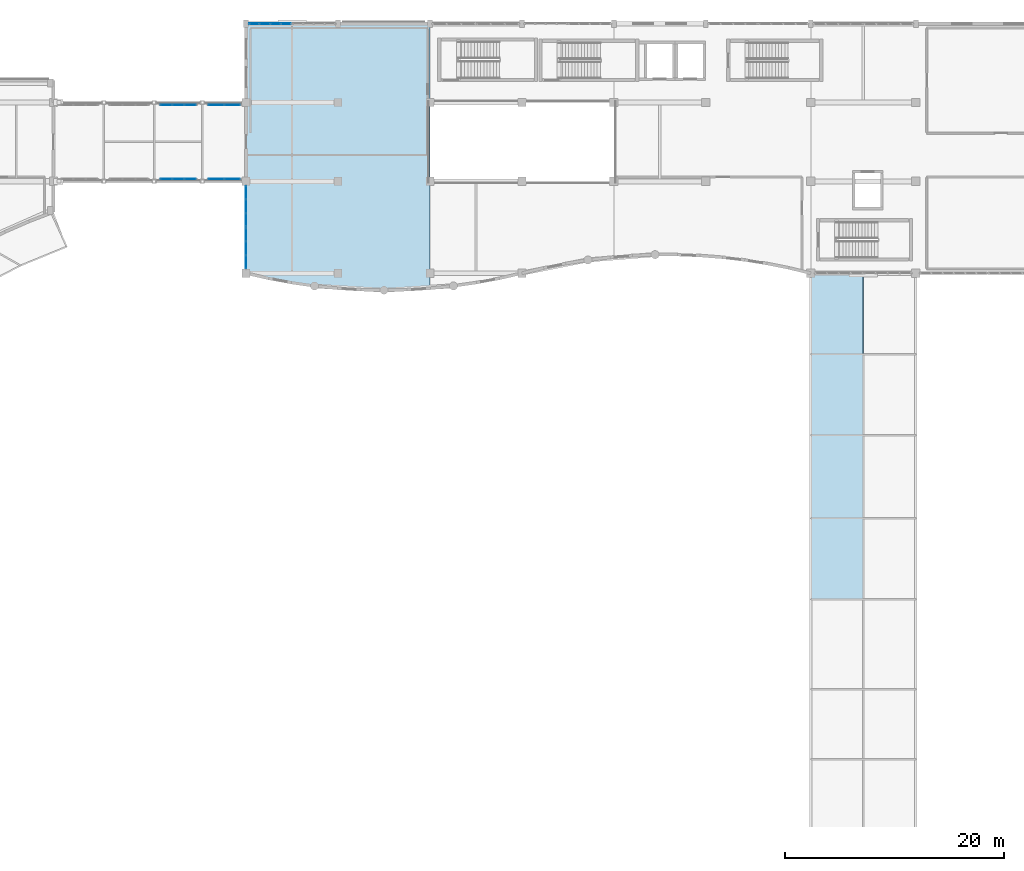
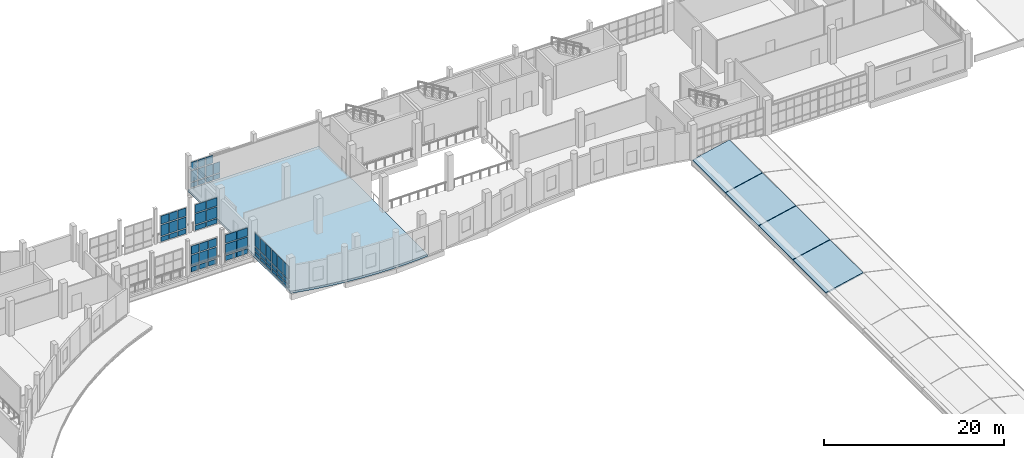
# One storey, part 71 of 106: 59 plates, 5 slabs, 7 elements without a shape of their own.
"""IFC4 building model written with IfcOpenShell, lengths in metres."""

from ifc_helpers import new_model, si_unit, direction, frame, origin, origin_2d, place, context, subcontext, project, spatial, polyline, rectangle, outline, extrude, material, layer, layer_set, type_object, element, aggregate, save


model = new_model("IFC4")

# Units and contexts
model_context = context("Model", 3, precision=1e-05, world=origin(), true_north=direction((0.0, 1.0)))
body_context = subcontext(model_context, "Body", "Model", "MODEL_VIEW")
ifc_project = project(units=[si_unit("LENGTHUNIT", "METRE"), si_unit("AREAUNIT", "SQUARE_METRE"), si_unit("VOLUMEUNIT", "CUBIC_METRE"), si_unit("PLANEANGLEUNIT", "RADIAN"), si_unit("MASSUNIT", "GRAM", prefix="KILO")], contexts=[model_context])

# Site, building, storey
site_placement = place(None, origin())
site = spatial("IfcSite", under=ifc_project, at=site_placement, CompositionType="ELEMENT")
building_placement = place(site_placement, origin())
building = spatial("IfcBuilding", under=site, at=building_placement, Name="Kisaragi Civic Commons", CompositionType="ELEMENT")
storey_placement = place(building_placement, frame((0.0, 0.0, 4.800048828125)))
storey = spatial("IfcBuildingStorey", under=building, at=storey_placement, Name="L01", CompositionType="ELEMENT", Elevation=4.800048828125)

# Curtain wall, plates
ifc_material_1 = material(Name="Thermally broken anodized aluminium and low-E double glazing", Category="aluminium")
ifc_layer_1 = layer(ifc_material_1, 0.179931640625, Name="Thermally broken anodized aluminium and low-E double glazing", Category="aluminium")
ifc_layer_set_1 = layer_set([ifc_layer_1], Name="Thermally broken anodized aluminium and low-E double glazing")
curtain_wall_type_1 = type_object("IfcCurtainWallType", Name="CW-01", PredefinedType="NOTDEFINED", material=ifc_layer_set_1)
curtain_wall_1_placement = place(storey_placement, origin())
curtain_wall_1 = element("IfcCurtainWall", 1, at=curtain_wall_1_placement, inside=storey, type_object=curtain_wall_type_1, Name="L01 curtain wall CW-01 CW-V4-L01-077", PredefinedType="NOTDEFINED")
ifc_layer_2 = layer(ifc_material_1, 0.06396484375, Name="Thermally broken anodized aluminium and low-E double glazing", Category="aluminium")
ifc_layer_set_2 = layer_set([ifc_layer_2], Name="Thermally broken anodized aluminium and low-E double glazing")
plate_type_1 = type_object("IfcPlateType", Name="CWP-04", PredefinedType="CURTAIN_PANEL", material=ifc_layer_set_2)
plate_1_placement = place(storey_placement, frame((72.0, 97.03466796875, 0.139892578125), z_axis=(0.0, 0.0, 1.0), x_axis=(0.0, 1.0, 0.0)))
plate_1 = element("IfcPlate", 2, at=plate_1_placement, type_object=plate_type_1, Name="CW-01 panel 1.1", PredefinedType="CURTAIN_PANEL", context=body_context, shape_type="SweptSolid", body=[
    extrude(rectangle(XDim=1.1591796875, YDim=0.06396484375, at=origin_2d()), origin(), (0.0, 0.0, 1.0), 0.43994140625),
])
plate_2_placement = place(storey_placement, frame((72.0, 97.03466796875, 0.7197265625), z_axis=(0.0, 0.0, 1.0), x_axis=(0.0, 1.0, 0.0)))
plate_2 = element("IfcPlate", 3, at=plate_2_placement, type_object=plate_type_1, Name="CW-01 panel 1.2", PredefinedType="CURTAIN_PANEL", context=body_context, shape_type="SweptSolid", body=[
    extrude(rectangle(XDim=1.1591796875, YDim=0.06396484375, at=origin_2d()), origin(), (0.0, 0.0, 1.0), 0.510009765625),
])
plate_3_placement = place(storey_placement, frame((72.0, 97.03466796875, 1.3701171875), z_axis=(0.0, 0.0, 1.0), x_axis=(0.0, 1.0, 0.0)))
plate_3 = element("IfcPlate", 4, at=plate_3_placement, type_object=plate_type_1, Name="CW-01 panel 1.3", PredefinedType="CURTAIN_PANEL", context=body_context, shape_type="SweptSolid", body=[
    extrude(rectangle(XDim=1.1591796875, YDim=0.06396484375, at=origin_2d()), origin(), (0.0, 0.0, 1.0), 1.77490234375),
])
plate_4_placement = place(storey_placement, frame((72.0, 98.27490234375, 0.139892578125), z_axis=(0.0, 0.0, 1.0), x_axis=(0.0, 1.0, 0.0)))
plate_4 = element("IfcPlate", 5, at=plate_4_placement, type_object=plate_type_1, Name="CW-01 panel 2.1", PredefinedType="CURTAIN_PANEL", context=body_context, shape_type="SweptSolid", body=[
    extrude(rectangle(XDim=1.191650390625, YDim=0.06396484375, at=origin_2d()), origin(), (0.0, 0.0, 1.0), 0.43994140625),
])
plate_5_placement = place(storey_placement, frame((72.0, 98.27490234375, 0.7197265625), z_axis=(0.0, 0.0, 1.0), x_axis=(0.0, 1.0, 0.0)))
plate_5 = element("IfcPlate", 6, at=plate_5_placement, type_object=plate_type_1, Name="CW-01 panel 2.2", PredefinedType="CURTAIN_PANEL", context=body_context, shape_type="SweptSolid", body=[
    extrude(rectangle(XDim=1.191650390625, YDim=0.06396484375, at=origin_2d()), origin(), (0.0, 0.0, 1.0), 0.510009765625),
])
plate_6_placement = place(storey_placement, frame((72.0, 98.27490234375, 1.3701171875), z_axis=(0.0, 0.0, 1.0), x_axis=(0.0, 1.0, 0.0)))
plate_6 = element("IfcPlate", 7, at=plate_6_placement, type_object=plate_type_1, Name="CW-01 panel 2.3", PredefinedType="CURTAIN_PANEL", context=body_context, shape_type="SweptSolid", body=[
    extrude(rectangle(XDim=1.191650390625, YDim=0.06396484375, at=origin_2d()), origin(), (0.0, 0.0, 1.0), 1.77490234375),
])
plate_7_placement = place(storey_placement, frame((72.0, 99.515380859375, 0.139892578125), z_axis=(0.0, 0.0, 1.0), x_axis=(0.0, 1.0, 0.0)))
plate_7 = element("IfcPlate", 8, at=plate_7_placement, type_object=plate_type_1, Name="CW-01 panel 3.1", PredefinedType="CURTAIN_PANEL", context=body_context, shape_type="SweptSolid", body=[
    extrude(rectangle(XDim=1.1591796875, YDim=0.06396484375, at=origin_2d()), origin(), (0.0, 0.0, 1.0), 0.43994140625),
])
plate_8_placement = place(storey_placement, frame((72.0, 99.515380859375, 0.7197265625), z_axis=(0.0, 0.0, 1.0), x_axis=(0.0, 1.0, 0.0)))
plate_8 = element("IfcPlate", 9, at=plate_8_placement, type_object=plate_type_1, Name="CW-01 panel 3.2", PredefinedType="CURTAIN_PANEL", context=body_context, shape_type="SweptSolid", body=[
    extrude(rectangle(XDim=1.1591796875, YDim=0.06396484375, at=origin_2d()), origin(), (0.0, 0.0, 1.0), 0.510009765625),
])
plate_9_placement = place(storey_placement, frame((72.0, 99.515380859375, 1.3701171875), z_axis=(0.0, 0.0, 1.0), x_axis=(0.0, 1.0, 0.0)))
plate_9 = element("IfcPlate", 10, at=plate_9_placement, type_object=plate_type_1, Name="CW-01 panel 3.3", PredefinedType="CURTAIN_PANEL", context=body_context, shape_type="SweptSolid", body=[
    extrude(rectangle(XDim=1.1591796875, YDim=0.06396484375, at=origin_2d()), origin(), (0.0, 0.0, 1.0), 1.77490234375),
])
aggregate(curtain_wall_1, [plate_1, plate_2, plate_3, plate_4, plate_5, plate_6, plate_7, plate_8, plate_9])

curtain_wall_2_placement = place(storey_placement, origin())
curtain_wall_2 = element("IfcCurtainWall", 11, at=curtain_wall_2_placement, inside=storey, type_object=curtain_wall_type_1, Name="L01 curtain wall CW-01 CW-V4-L01-078", PredefinedType="NOTDEFINED")
ifc_layer_3 = layer(ifc_material_1, 0.048095703125, Name="Thermally broken anodized aluminium and low-E double glazing", Category="aluminium")
ifc_layer_set_3 = layer_set([ifc_layer_3], Name="Thermally broken anodized aluminium and low-E double glazing")
plate_type_2 = type_object("IfcPlateType", Name="CWP-05", PredefinedType="CURTAIN_PANEL", material=ifc_layer_set_3)
plate_10_placement = place(storey_placement, frame((72.0, 100.884521484375, 0.139892578125), z_axis=(0.0, 0.0, 1.0), x_axis=(0.0, 1.0, 0.0)))
plate_10 = element("IfcPlate", 12, at=plate_10_placement, type_object=plate_type_2, Name="CW-01 panel 1.1", PredefinedType="CURTAIN_PANEL", context=body_context, shape_type="SweptSolid", body=[
    extrude(rectangle(XDim=1.1591796875, YDim=0.048095703125, at=origin_2d()), origin(), (0.0, 0.0, 1.0), 0.43994140625),
])
plate_11_placement = place(storey_placement, frame((72.0, 100.884521484375, 0.7197265625), z_axis=(0.0, 0.0, 1.0), x_axis=(0.0, 1.0, 0.0)))
plate_11 = element("IfcPlate", 13, at=plate_11_placement, type_object=plate_type_2, Name="CW-01 panel 1.2", PredefinedType="CURTAIN_PANEL", context=body_context, shape_type="SweptSolid", body=[
    extrude(rectangle(XDim=1.1591796875, YDim=0.048095703125, at=origin_2d()), origin(), (0.0, 0.0, 1.0), 0.510009765625),
])
plate_12_placement = place(storey_placement, frame((72.0, 100.884521484375, 1.3701171875), z_axis=(0.0, 0.0, 1.0), x_axis=(0.0, 1.0, 0.0)))
plate_12 = element("IfcPlate", 14, at=plate_12_placement, type_object=plate_type_2, Name="CW-01 panel 1.3", PredefinedType="CURTAIN_PANEL", context=body_context, shape_type="SweptSolid", body=[
    extrude(rectangle(XDim=1.1591796875, YDim=0.048095703125, at=origin_2d()), origin(), (0.0, 0.0, 1.0), 1.77490234375),
])
plate_13_placement = place(storey_placement, frame((72.0, 102.125, 0.139892578125), z_axis=(0.0, 0.0, 1.0), x_axis=(0.0, 1.0, 0.0)))
plate_13 = element("IfcPlate", 15, at=plate_13_placement, type_object=plate_type_2, Name="CW-01 panel 2.1", PredefinedType="CURTAIN_PANEL", context=body_context, shape_type="SweptSolid", body=[
    extrude(rectangle(XDim=1.191650390625, YDim=0.048095703125, at=origin_2d()), origin(), (0.0, 0.0, 1.0), 0.43994140625),
])
plate_14_placement = place(storey_placement, frame((72.0, 102.125, 0.7197265625), z_axis=(0.0, 0.0, 1.0), x_axis=(0.0, 1.0, 0.0)))
plate_14 = element("IfcPlate", 16, at=plate_14_placement, type_object=plate_type_2, Name="CW-01 panel 2.2", PredefinedType="CURTAIN_PANEL", context=body_context, shape_type="SweptSolid", body=[
    extrude(rectangle(XDim=1.191650390625, YDim=0.048095703125, at=origin_2d()), origin(), (0.0, 0.0, 1.0), 0.510009765625),
])
plate_15_placement = place(storey_placement, frame((72.0, 102.125, 1.3701171875), z_axis=(0.0, 0.0, 1.0), x_axis=(0.0, 1.0, 0.0)))
plate_15 = element("IfcPlate", 17, at=plate_15_placement, type_object=plate_type_2, Name="CW-01 panel 2.3", PredefinedType="CURTAIN_PANEL", context=body_context, shape_type="SweptSolid", body=[
    extrude(rectangle(XDim=1.191650390625, YDim=0.048095703125, at=origin_2d()), origin(), (0.0, 0.0, 1.0), 1.77490234375),
])
plate_16_placement = place(storey_placement, frame((72.0, 103.365478515625, 0.139892578125), z_axis=(0.0, 0.0, 1.0), x_axis=(0.0, 1.0, 0.0)))
plate_16 = element("IfcPlate", 18, at=plate_16_placement, type_object=plate_type_2, Name="CW-01 panel 3.1", PredefinedType="CURTAIN_PANEL", context=body_context, shape_type="SweptSolid", body=[
    extrude(rectangle(XDim=1.1591796875, YDim=0.048095703125, at=origin_2d()), origin(), (0.0, 0.0, 1.0), 0.43994140625),
])
plate_17_placement = place(storey_placement, frame((72.0, 103.365478515625, 0.7197265625), z_axis=(0.0, 0.0, 1.0), x_axis=(0.0, 1.0, 0.0)))
plate_17 = element("IfcPlate", 19, at=plate_17_placement, type_object=plate_type_2, Name="CW-01 panel 3.2", PredefinedType="CURTAIN_PANEL", context=body_context, shape_type="SweptSolid", body=[
    extrude(rectangle(XDim=1.1591796875, YDim=0.048095703125, at=origin_2d()), origin(), (0.0, 0.0, 1.0), 0.510009765625),
])
plate_18_placement = place(storey_placement, frame((72.0, 103.365478515625, 1.3701171875), z_axis=(0.0, 0.0, 1.0), x_axis=(0.0, 1.0, 0.0)))
plate_18 = element("IfcPlate", 20, at=plate_18_placement, type_object=plate_type_2, Name="CW-01 panel 3.3", PredefinedType="CURTAIN_PANEL", context=body_context, shape_type="SweptSolid", body=[
    extrude(rectangle(XDim=1.1591796875, YDim=0.048095703125, at=origin_2d()), origin(), (0.0, 0.0, 1.0), 1.77490234375),
])
aggregate(curtain_wall_2, [plate_10, plate_11, plate_12, plate_13, plate_14, plate_15, plate_16, plate_17, plate_18])

ifc_layer_4 = layer(ifc_material_1, 0.179931640625, Name="Thermally broken anodized aluminium and low-E double glazing", Category="aluminium")
ifc_layer_set_4 = layer_set([ifc_layer_4], Name="Thermally broken anodized aluminium and low-E double glazing")
curtain_wall_type_2 = type_object("IfcCurtainWallType", Name="CW-04", PredefinedType="NOTDEFINED", material=ifc_layer_set_4)
curtain_wall_3_placement = place(storey_placement, origin())
curtain_wall_3 = element("IfcCurtainWall", 21, at=curtain_wall_3_placement, inside=storey, type_object=curtain_wall_type_2, Name="L01 curtain wall CW-04 CW-BR-119", PredefinedType="NOTDEFINED")
ifc_layer_5 = layer(ifc_material_1, 0.068115234375, Name="Thermally broken anodized aluminium and low-E double glazing", Category="aluminium")
ifc_layer_set_5 = layer_set([ifc_layer_5], Name="Thermally broken anodized aluminium and low-E double glazing")
plate_type_3 = type_object("IfcPlateType", Name="CWP-08", PredefinedType="CURTAIN_PANEL", material=ifc_layer_set_5)
plate_19_placement = place(storey_placement, frame((64.6962890625, 104.6201171875, 0.14013671875), z_axis=(0.0, 0.0, 1.0), x_axis=(1.0, 0.0, 0.0)))
plate_19 = element("IfcPlate", 22, at=plate_19_placement, type_object=plate_type_3, Name="CW-04 panel 1.1", PredefinedType="CURTAIN_PANEL", context=body_context, shape_type="SweptSolid", body=[
    extrude(rectangle(XDim=1.0224609375, YDim=0.068115234375, at=origin_2d()), origin(), (0.0, 0.0, 1.0), 0.639892578125),
])
plate_20_placement = place(storey_placement, frame((64.6962890625, 104.6201171875, 0.919921875), z_axis=(0.0, 0.0, 1.0), x_axis=(1.0, 0.0, 0.0)))
plate_20 = element("IfcPlate", 23, at=plate_20_placement, type_object=plate_type_3, Name="CW-04 panel 1.2", PredefinedType="CURTAIN_PANEL", context=body_context, shape_type="SweptSolid", body=[
    extrude(rectangle(XDim=1.0224609375, YDim=0.068115234375, at=origin_2d()), origin(), (0.0, 0.0, 1.0), 1.4599609375),
])
plate_21_placement = place(storey_placement, frame((64.6962890625, 104.6201171875, 2.52001953125), z_axis=(0.0, 0.0, 1.0), x_axis=(1.0, 0.0, 0.0)))
plate_21 = element("IfcPlate", 24, at=plate_21_placement, type_object=plate_type_3, Name="CW-04 panel 1.3", PredefinedType="CURTAIN_PANEL", context=body_context, shape_type="SweptSolid", body=[
    extrude(rectangle(XDim=1.0224609375, YDim=0.068115234375, at=origin_2d()), origin(), (0.0, 0.0, 1.0), 1.10009765625),
])
plate_22_placement = place(storey_placement, frame((65.800048828125, 104.6201171875, 0.14013671875), z_axis=(0.0, 0.0, 1.0), x_axis=(1.0, 0.0, 0.0)))
plate_22 = element("IfcPlate", 25, at=plate_22_placement, type_object=plate_type_3, Name="CW-04 panel 2.1", PredefinedType="CURTAIN_PANEL", context=body_context, shape_type="SweptSolid", body=[
    extrude(rectangle(XDim=1.054931640625, YDim=0.068115234375, at=origin_2d()), origin(), (0.0, 0.0, 1.0), 0.639892578125),
])
plate_23_placement = place(storey_placement, frame((65.800048828125, 104.6201171875, 0.919921875), z_axis=(0.0, 0.0, 1.0), x_axis=(1.0, 0.0, 0.0)))
plate_23 = element("IfcPlate", 26, at=plate_23_placement, type_object=plate_type_3, Name="CW-04 panel 2.2", PredefinedType="CURTAIN_PANEL", context=body_context, shape_type="SweptSolid", body=[
    extrude(rectangle(XDim=1.054931640625, YDim=0.068115234375, at=origin_2d()), origin(), (0.0, 0.0, 1.0), 1.4599609375),
])
plate_24_placement = place(storey_placement, frame((65.800048828125, 104.6201171875, 2.52001953125), z_axis=(0.0, 0.0, 1.0), x_axis=(1.0, 0.0, 0.0)))
plate_24 = element("IfcPlate", 27, at=plate_24_placement, type_object=plate_type_3, Name="CW-04 panel 2.3", PredefinedType="CURTAIN_PANEL", context=body_context, shape_type="SweptSolid", body=[
    extrude(rectangle(XDim=1.054931640625, YDim=0.068115234375, at=origin_2d()), origin(), (0.0, 0.0, 1.0), 1.10009765625),
])
plate_25_placement = place(storey_placement, frame((66.90380859375, 104.6201171875, 0.14013671875), z_axis=(0.0, 0.0, 1.0), x_axis=(1.0, 0.0, 0.0)))
plate_25 = element("IfcPlate", 28, at=plate_25_placement, type_object=plate_type_3, Name="CW-04 panel 3.1", PredefinedType="CURTAIN_PANEL", context=body_context, shape_type="SweptSolid", body=[
    extrude(rectangle(XDim=1.0224609375, YDim=0.068115234375, at=origin_2d()), origin(), (0.0, 0.0, 1.0), 0.639892578125),
])
plate_26_placement = place(storey_placement, frame((66.90380859375, 104.6201171875, 0.919921875), z_axis=(0.0, 0.0, 1.0), x_axis=(1.0, 0.0, 0.0)))
plate_26 = element("IfcPlate", 29, at=plate_26_placement, type_object=plate_type_3, Name="CW-04 panel 3.2", PredefinedType="CURTAIN_PANEL", context=body_context, shape_type="SweptSolid", body=[
    extrude(rectangle(XDim=1.0224609375, YDim=0.068115234375, at=origin_2d()), origin(), (0.0, 0.0, 1.0), 1.4599609375),
])
plate_27_placement = place(storey_placement, frame((66.90380859375, 104.6201171875, 2.52001953125), z_axis=(0.0, 0.0, 1.0), x_axis=(1.0, 0.0, 0.0)))
plate_27 = element("IfcPlate", 30, at=plate_27_placement, type_object=plate_type_3, Name="CW-04 panel 3.3", PredefinedType="CURTAIN_PANEL", context=body_context, shape_type="SweptSolid", body=[
    extrude(rectangle(XDim=1.0224609375, YDim=0.068115234375, at=origin_2d()), origin(), (0.0, 0.0, 1.0), 1.10009765625),
])
aggregate(curtain_wall_3, [plate_19, plate_20, plate_21, plate_22, plate_23, plate_24, plate_25, plate_26, plate_27])

curtain_wall_4_placement = place(storey_placement, origin())
curtain_wall_4 = element("IfcCurtainWall", 31, at=curtain_wall_4_placement, inside=storey, type_object=curtain_wall_type_2, Name="L01 curtain wall CW-04 CW-BR-120", PredefinedType="NOTDEFINED")
plate_28_placement = place(storey_placement, frame((69.2763671875, 104.6201171875, 0.14013671875), z_axis=(0.0, 0.0, 1.0), x_axis=(1.0, 0.0, 0.0)))
plate_28 = element("IfcPlate", 32, at=plate_28_placement, type_object=plate_type_3, Name="CW-04 panel 1.1", PredefinedType="CURTAIN_PANEL", context=body_context, shape_type="SweptSolid", body=[
    extrude(rectangle(XDim=1.382568359375, YDim=0.068115234375, at=origin_2d()), origin(), (0.0, 0.0, 1.0), 0.639892578125),
])
plate_29_placement = place(storey_placement, frame((69.2763671875, 104.6201171875, 0.919921875), z_axis=(0.0, 0.0, 1.0), x_axis=(1.0, 0.0, 0.0)))
plate_29 = element("IfcPlate", 33, at=plate_29_placement, type_object=plate_type_3, Name="CW-04 panel 1.2", PredefinedType="CURTAIN_PANEL", context=body_context, shape_type="SweptSolid", body=[
    extrude(rectangle(XDim=1.382568359375, YDim=0.068115234375, at=origin_2d()), origin(), (0.0, 0.0, 1.0), 1.4599609375),
])
plate_30_placement = place(storey_placement, frame((69.2763671875, 104.6201171875, 2.52001953125), z_axis=(0.0, 0.0, 1.0), x_axis=(1.0, 0.0, 0.0)))
plate_30 = element("IfcPlate", 34, at=plate_30_placement, type_object=plate_type_3, Name="CW-04 panel 1.3", PredefinedType="CURTAIN_PANEL", context=body_context, shape_type="SweptSolid", body=[
    extrude(rectangle(XDim=1.382568359375, YDim=0.068115234375, at=origin_2d()), origin(), (0.0, 0.0, 1.0), 1.10009765625),
])
plate_31_placement = place(storey_placement, frame((70.7236328125, 104.6201171875, 0.14013671875), z_axis=(0.0, 0.0, 1.0), x_axis=(1.0, 0.0, 0.0)))
plate_31 = element("IfcPlate", 35, at=plate_31_placement, type_object=plate_type_3, Name="CW-04 panel 2.1", PredefinedType="CURTAIN_PANEL", context=body_context, shape_type="SweptSolid", body=[
    extrude(rectangle(XDim=1.382568359375, YDim=0.068115234375, at=origin_2d()), origin(), (0.0, 0.0, 1.0), 0.639892578125),
])
plate_32_placement = place(storey_placement, frame((70.7236328125, 104.6201171875, 0.919921875), z_axis=(0.0, 0.0, 1.0), x_axis=(1.0, 0.0, 0.0)))
plate_32 = element("IfcPlate", 36, at=plate_32_placement, type_object=plate_type_3, Name="CW-04 panel 2.2", PredefinedType="CURTAIN_PANEL", context=body_context, shape_type="SweptSolid", body=[
    extrude(rectangle(XDim=1.382568359375, YDim=0.068115234375, at=origin_2d()), origin(), (0.0, 0.0, 1.0), 1.4599609375),
])
plate_33_placement = place(storey_placement, frame((70.7236328125, 104.6201171875, 2.52001953125), z_axis=(0.0, 0.0, 1.0), x_axis=(1.0, 0.0, 0.0)))
plate_33 = element("IfcPlate", 37, at=plate_33_placement, type_object=plate_type_3, Name="CW-04 panel 2.3", PredefinedType="CURTAIN_PANEL", context=body_context, shape_type="SweptSolid", body=[
    extrude(rectangle(XDim=1.382568359375, YDim=0.068115234375, at=origin_2d()), origin(), (0.0, 0.0, 1.0), 1.10009765625),
])
aggregate(curtain_wall_4, [plate_28, plate_29, plate_30, plate_31, plate_32, plate_33])

curtain_wall_5_placement = place(storey_placement, origin())
curtain_wall_5 = element("IfcCurtainWall", 38, at=curtain_wall_5_placement, inside=storey, type_object=curtain_wall_type_2, Name="L01 curtain wall CW-04 CW-BR-123", PredefinedType="NOTDEFINED")
plate_34_placement = place(storey_placement, frame((64.6962890625, 111.3798828125, 0.14013671875), z_axis=(0.0, 0.0, 1.0), x_axis=(1.0, 0.0, 0.0)))
plate_34 = element("IfcPlate", 39, at=plate_34_placement, type_object=plate_type_3, Name="CW-04 panel 1.1", PredefinedType="CURTAIN_PANEL", context=body_context, shape_type="SweptSolid", body=[
    extrude(rectangle(XDim=1.0224609375, YDim=0.068115234375, at=origin_2d()), origin(), (0.0, 0.0, 1.0), 0.639892578125),
])
plate_35_placement = place(storey_placement, frame((64.6962890625, 111.3798828125, 0.919921875), z_axis=(0.0, 0.0, 1.0), x_axis=(1.0, 0.0, 0.0)))
plate_35 = element("IfcPlate", 40, at=plate_35_placement, type_object=plate_type_3, Name="CW-04 panel 1.2", PredefinedType="CURTAIN_PANEL", context=body_context, shape_type="SweptSolid", body=[
    extrude(rectangle(XDim=1.0224609375, YDim=0.068115234375, at=origin_2d()), origin(), (0.0, 0.0, 1.0), 1.4599609375),
])
plate_36_placement = place(storey_placement, frame((64.6962890625, 111.3798828125, 2.52001953125), z_axis=(0.0, 0.0, 1.0), x_axis=(1.0, 0.0, 0.0)))
plate_36 = element("IfcPlate", 41, at=plate_36_placement, type_object=plate_type_3, Name="CW-04 panel 1.3", PredefinedType="CURTAIN_PANEL", context=body_context, shape_type="SweptSolid", body=[
    extrude(rectangle(XDim=1.0224609375, YDim=0.068115234375, at=origin_2d()), origin(), (0.0, 0.0, 1.0), 1.10009765625),
])
plate_37_placement = place(storey_placement, frame((65.800048828125, 111.3798828125, 0.14013671875), z_axis=(0.0, 0.0, 1.0), x_axis=(1.0, 0.0, 0.0)))
plate_37 = element("IfcPlate", 42, at=plate_37_placement, type_object=plate_type_3, Name="CW-04 panel 2.1", PredefinedType="CURTAIN_PANEL", context=body_context, shape_type="SweptSolid", body=[
    extrude(rectangle(XDim=1.054931640625, YDim=0.068115234375, at=origin_2d()), origin(), (0.0, 0.0, 1.0), 0.639892578125),
])
plate_38_placement = place(storey_placement, frame((65.800048828125, 111.3798828125, 0.919921875), z_axis=(0.0, 0.0, 1.0), x_axis=(1.0, 0.0, 0.0)))
plate_38 = element("IfcPlate", 43, at=plate_38_placement, type_object=plate_type_3, Name="CW-04 panel 2.2", PredefinedType="CURTAIN_PANEL", context=body_context, shape_type="SweptSolid", body=[
    extrude(rectangle(XDim=1.054931640625, YDim=0.068115234375, at=origin_2d()), origin(), (0.0, 0.0, 1.0), 1.4599609375),
])
plate_39_placement = place(storey_placement, frame((65.800048828125, 111.3798828125, 2.52001953125), z_axis=(0.0, 0.0, 1.0), x_axis=(1.0, 0.0, 0.0)))
plate_39 = element("IfcPlate", 44, at=plate_39_placement, type_object=plate_type_3, Name="CW-04 panel 2.3", PredefinedType="CURTAIN_PANEL", context=body_context, shape_type="SweptSolid", body=[
    extrude(rectangle(XDim=1.054931640625, YDim=0.068115234375, at=origin_2d()), origin(), (0.0, 0.0, 1.0), 1.10009765625),
])
plate_40_placement = place(storey_placement, frame((66.90380859375, 111.3798828125, 0.14013671875), z_axis=(0.0, 0.0, 1.0), x_axis=(1.0, 0.0, 0.0)))
plate_40 = element("IfcPlate", 45, at=plate_40_placement, type_object=plate_type_3, Name="CW-04 panel 3.1", PredefinedType="CURTAIN_PANEL", context=body_context, shape_type="SweptSolid", body=[
    extrude(rectangle(XDim=1.0224609375, YDim=0.068115234375, at=origin_2d()), origin(), (0.0, 0.0, 1.0), 0.639892578125),
])
plate_41_placement = place(storey_placement, frame((66.90380859375, 111.3798828125, 0.919921875), z_axis=(0.0, 0.0, 1.0), x_axis=(1.0, 0.0, 0.0)))
plate_41 = element("IfcPlate", 46, at=plate_41_placement, type_object=plate_type_3, Name="CW-04 panel 3.2", PredefinedType="CURTAIN_PANEL", context=body_context, shape_type="SweptSolid", body=[
    extrude(rectangle(XDim=1.0224609375, YDim=0.068115234375, at=origin_2d()), origin(), (0.0, 0.0, 1.0), 1.4599609375),
])
plate_42_placement = place(storey_placement, frame((66.90380859375, 111.3798828125, 2.52001953125), z_axis=(0.0, 0.0, 1.0), x_axis=(1.0, 0.0, 0.0)))
plate_42 = element("IfcPlate", 47, at=plate_42_placement, type_object=plate_type_3, Name="CW-04 panel 3.3", PredefinedType="CURTAIN_PANEL", context=body_context, shape_type="SweptSolid", body=[
    extrude(rectangle(XDim=1.0224609375, YDim=0.068115234375, at=origin_2d()), origin(), (0.0, 0.0, 1.0), 1.10009765625),
])
aggregate(curtain_wall_5, [plate_34, plate_35, plate_36, plate_37, plate_38, plate_39, plate_40, plate_41, plate_42])

curtain_wall_6_placement = place(storey_placement, origin())
curtain_wall_6 = element("IfcCurtainWall", 48, at=curtain_wall_6_placement, inside=storey, type_object=curtain_wall_type_2, Name="L01 curtain wall CW-04 CW-BR-124", PredefinedType="NOTDEFINED")
plate_43_placement = place(storey_placement, frame((69.2763671875, 111.3798828125, 0.14013671875), z_axis=(0.0, 0.0, 1.0), x_axis=(1.0, 0.0, 0.0)))
plate_43 = element("IfcPlate", 49, at=plate_43_placement, type_object=plate_type_3, Name="CW-04 panel 1.1", PredefinedType="CURTAIN_PANEL", context=body_context, shape_type="SweptSolid", body=[
    extrude(rectangle(XDim=1.382568359375, YDim=0.068115234375, at=origin_2d()), origin(), (0.0, 0.0, 1.0), 0.639892578125),
])
plate_44_placement = place(storey_placement, frame((69.2763671875, 111.3798828125, 0.919921875), z_axis=(0.0, 0.0, 1.0), x_axis=(1.0, 0.0, 0.0)))
plate_44 = element("IfcPlate", 50, at=plate_44_placement, type_object=plate_type_3, Name="CW-04 panel 1.2", PredefinedType="CURTAIN_PANEL", context=body_context, shape_type="SweptSolid", body=[
    extrude(rectangle(XDim=1.382568359375, YDim=0.068115234375, at=origin_2d()), origin(), (0.0, 0.0, 1.0), 1.4599609375),
])
plate_45_placement = place(storey_placement, frame((69.2763671875, 111.3798828125, 2.52001953125), z_axis=(0.0, 0.0, 1.0), x_axis=(1.0, 0.0, 0.0)))
plate_45 = element("IfcPlate", 51, at=plate_45_placement, type_object=plate_type_3, Name="CW-04 panel 1.3", PredefinedType="CURTAIN_PANEL", context=body_context, shape_type="SweptSolid", body=[
    extrude(rectangle(XDim=1.382568359375, YDim=0.068115234375, at=origin_2d()), origin(), (0.0, 0.0, 1.0), 1.10009765625),
])
plate_46_placement = place(storey_placement, frame((70.7236328125, 111.3798828125, 0.14013671875), z_axis=(0.0, 0.0, 1.0), x_axis=(1.0, 0.0, 0.0)))
plate_46 = element("IfcPlate", 52, at=plate_46_placement, type_object=plate_type_3, Name="CW-04 panel 2.1", PredefinedType="CURTAIN_PANEL", context=body_context, shape_type="SweptSolid", body=[
    extrude(rectangle(XDim=1.382568359375, YDim=0.068115234375, at=origin_2d()), origin(), (0.0, 0.0, 1.0), 0.639892578125),
])
plate_47_placement = place(storey_placement, frame((70.7236328125, 111.3798828125, 0.919921875), z_axis=(0.0, 0.0, 1.0), x_axis=(1.0, 0.0, 0.0)))
plate_47 = element("IfcPlate", 53, at=plate_47_placement, type_object=plate_type_3, Name="CW-04 panel 2.2", PredefinedType="CURTAIN_PANEL", context=body_context, shape_type="SweptSolid", body=[
    extrude(rectangle(XDim=1.382568359375, YDim=0.068115234375, at=origin_2d()), origin(), (0.0, 0.0, 1.0), 1.4599609375),
])
plate_48_placement = place(storey_placement, frame((70.7236328125, 111.3798828125, 2.52001953125), z_axis=(0.0, 0.0, 1.0), x_axis=(1.0, 0.0, 0.0)))
plate_48 = element("IfcPlate", 54, at=plate_48_placement, type_object=plate_type_3, Name="CW-04 panel 2.3", PredefinedType="CURTAIN_PANEL", context=body_context, shape_type="SweptSolid", body=[
    extrude(rectangle(XDim=1.382568359375, YDim=0.068115234375, at=origin_2d()), origin(), (0.0, 0.0, 1.0), 1.10009765625),
])
aggregate(curtain_wall_6, [plate_43, plate_44, plate_45, plate_46, plate_47, plate_48])

curtain_wall_7_placement = place(storey_placement, origin())
curtain_wall_7 = element("IfcCurtainWall", 55, at=curtain_wall_7_placement, inside=storey, type_object=curtain_wall_type_1, Name="L01 curtain wall CW-01 CW-V4-L01-059", PredefinedType="NOTDEFINED")
ifc_layer_6 = layer(ifc_material_1, 0.077880859375, Name="Thermally broken anodized aluminium and low-E double glazing", Category="aluminium")
ifc_layer_set_6 = layer_set([ifc_layer_6], Name="Thermally broken anodized aluminium and low-E double glazing")
plate_type_4 = type_object("IfcPlateType", Name="CWP-18", PredefinedType="CURTAIN_PANEL", material=ifc_layer_set_6)
plate_49_placement = place(storey_placement, frame((72.746337890625, 118.800048828125, 0.14013671875), z_axis=(0.0, 0.0, 1.0), x_axis=(1.0, 0.0, 0.0)))
plate_49 = element("IfcPlate", 56, at=plate_49_placement, type_object=plate_type_4, Name="CW-01 panel 1.1", PredefinedType="CURTAIN_PANEL", context=body_context, shape_type="SweptSolid", body=[
    extrude(rectangle(XDim=0.882568359375, YDim=0.077880859375, at=origin_2d()), origin(), (0.0, 0.0, 1.0), 0.639892578125),
])
plate_50_placement = place(storey_placement, frame((72.746337890625, 118.800048828125, 0.919921875), z_axis=(0.0, 0.0, 1.0), x_axis=(1.0, 0.0, 0.0)))
plate_50 = element("IfcPlate", 57, at=plate_50_placement, type_object=plate_type_4, Name="CW-01 panel 1.2", PredefinedType="CURTAIN_PANEL", context=body_context, shape_type="SweptSolid", body=[
    extrude(rectangle(XDim=0.882568359375, YDim=0.077880859375, at=origin_2d()), origin(), (0.0, 0.0, 1.0), 1.4599609375),
])
plate_51_placement = place(storey_placement, frame((72.746337890625, 118.800048828125, 2.52001953125), z_axis=(0.0, 0.0, 1.0), x_axis=(1.0, 0.0, 0.0)))
plate_51 = element("IfcPlate", 58, at=plate_51_placement, type_object=plate_type_4, Name="CW-01 panel 1.3", PredefinedType="CURTAIN_PANEL", context=body_context, shape_type="SweptSolid", body=[
    extrude(rectangle(XDim=0.882568359375, YDim=0.077880859375, at=origin_2d()), origin(), (0.0, 0.0, 1.0), 1.044921875),
])
plate_52_placement = place(storey_placement, frame((73.7099609375, 118.800048828125, 0.14013671875), z_axis=(0.0, 0.0, 1.0), x_axis=(1.0, 0.0, 0.0)))
plate_52 = element("IfcPlate", 59, at=plate_52_placement, type_object=plate_type_4, Name="CW-01 panel 2.1", PredefinedType="CURTAIN_PANEL", context=body_context, shape_type="SweptSolid", body=[
    extrude(rectangle(XDim=0.9150390625, YDim=0.077880859375, at=origin_2d()), origin(), (0.0, 0.0, 1.0), 0.639892578125),
])
plate_53_placement = place(storey_placement, frame((73.7099609375, 118.800048828125, 0.919921875), z_axis=(0.0, 0.0, 1.0), x_axis=(1.0, 0.0, 0.0)))
plate_53 = element("IfcPlate", 60, at=plate_53_placement, type_object=plate_type_4, Name="CW-01 panel 2.2", PredefinedType="CURTAIN_PANEL", context=body_context, shape_type="SweptSolid", body=[
    extrude(rectangle(XDim=0.9150390625, YDim=0.077880859375, at=origin_2d()), origin(), (0.0, 0.0, 1.0), 1.4599609375),
])
plate_54_placement = place(storey_placement, frame((73.7099609375, 118.800048828125, 2.52001953125), z_axis=(0.0, 0.0, 1.0), x_axis=(1.0, 0.0, 0.0)))
plate_54 = element("IfcPlate", 61, at=plate_54_placement, type_object=plate_type_4, Name="CW-01 panel 2.3", PredefinedType="CURTAIN_PANEL", context=body_context, shape_type="SweptSolid", body=[
    extrude(rectangle(XDim=0.9150390625, YDim=0.077880859375, at=origin_2d()), origin(), (0.0, 0.0, 1.0), 1.044921875),
])
plate_55_placement = place(storey_placement, frame((74.68994140625, 118.800048828125, 0.14013671875), z_axis=(0.0, 0.0, 1.0), x_axis=(1.0, 0.0, 0.0)))
plate_55 = element("IfcPlate", 62, at=plate_55_placement, type_object=plate_type_4, Name="CW-01 panel 3.1", PredefinedType="CURTAIN_PANEL", context=body_context, shape_type="SweptSolid", body=[
    extrude(rectangle(XDim=0.9150390625, YDim=0.077880859375, at=origin_2d()), origin(), (0.0, 0.0, 1.0), 0.639892578125),
])
plate_56_placement = place(storey_placement, frame((74.68994140625, 118.800048828125, 0.919921875), z_axis=(0.0, 0.0, 1.0), x_axis=(1.0, 0.0, 0.0)))
plate_56 = element("IfcPlate", 63, at=plate_56_placement, type_object=plate_type_4, Name="CW-01 panel 3.2", PredefinedType="CURTAIN_PANEL", context=body_context, shape_type="SweptSolid", body=[
    extrude(rectangle(XDim=0.9150390625, YDim=0.077880859375, at=origin_2d()), origin(), (0.0, 0.0, 1.0), 1.4599609375),
])
plate_57_placement = place(storey_placement, frame((74.68994140625, 118.800048828125, 2.52001953125), z_axis=(0.0, 0.0, 1.0), x_axis=(1.0, 0.0, 0.0)))
plate_57 = element("IfcPlate", 64, at=plate_57_placement, type_object=plate_type_4, Name="CW-01 panel 3.3", PredefinedType="CURTAIN_PANEL", context=body_context, shape_type="SweptSolid", body=[
    extrude(rectangle(XDim=0.9150390625, YDim=0.077880859375, at=origin_2d()), origin(), (0.0, 0.0, 1.0), 1.044921875),
])
plate_58_placement = place(storey_placement, frame((75.65380859375, 118.800048828125, 0.14013671875), z_axis=(0.0, 0.0, 1.0), x_axis=(1.0, 0.0, 0.0)))
plate_58 = element("IfcPlate", 65, at=plate_58_placement, type_object=plate_type_4, Name="CW-01 panel 4.1", PredefinedType="CURTAIN_PANEL", context=body_context, shape_type="SweptSolid", body=[
    extrude(rectangle(XDim=0.882568359375, YDim=0.077880859375, at=origin_2d()), origin(), (0.0, 0.0, 1.0), 0.639892578125),
])
plate_59_placement = place(storey_placement, frame((75.65380859375, 118.800048828125, 0.919921875), z_axis=(0.0, 0.0, 1.0), x_axis=(1.0, 0.0, 0.0)))
plate_59 = element("IfcPlate", 66, at=plate_59_placement, type_object=plate_type_4, Name="CW-01 panel 4.2", PredefinedType="CURTAIN_PANEL", context=body_context, shape_type="SweptSolid", body=[
    extrude(rectangle(XDim=0.882568359375, YDim=0.077880859375, at=origin_2d()), origin(), (0.0, 0.0, 1.0), 1.4599609375),
])
aggregate(curtain_wall_7, [plate_49, plate_50, plate_51, plate_52, plate_53, plate_54, plate_55, plate_56, plate_57, plate_58, plate_59])

# Slabs
ifc_material_2 = material(Name="Concrete Fc30", Category="concrete")
ifc_layer_7 = layer(ifc_material_2, 0.304931640625, Name="Concrete Fc30", Category="concrete")
ifc_layer_set_7 = layer_set([ifc_layer_7], Name="Concrete Fc30")
slab_type_1 = type_object("IfcSlabType", Name="SL-F1", PredefinedType="FLOOR", material=ifc_layer_set_7)
slab_1_placement = place(storey_placement, frame((0.0, 0.0, -0.304931640625)))
element("IfcSlab", 67, at=slab_1_placement, inside=storey, type_object=slab_type_1, Name="V4 L01 slab SL-F1 40", PredefinedType="FLOOR", context=body_context, shape_type="SweptSolid", body=[
    extrude(outline(polyline([(72.0, 118.800048828125), (72.0, 96.0), (74.06787109375, 95.528076171875), (76.153076171875, 95.14111328125), (78.25244140625, 94.839111328125), (80.362548828125, 94.623291015625), (82.4794921875, 94.49365234375), (84.60009765625, 94.450439453125), (86.720458984375, 94.49365234375), (88.800048828125, 94.62109375), (88.800048828125, 104.39990234375), (88.800048828125, 111.60009765625), (88.800048828125, 118.800048828125), (72.0, 118.800048828125)])), origin(), (0.0, 0.0, 1.0), 0.304931640625),
])
ifc_layer_8 = layer(ifc_material_2, 0.18994140625, Name="Concrete Fc30", Category="concrete")
ifc_layer_set_8 = layer_set([ifc_layer_8], Name="Concrete Fc30")
slab_type_2 = type_object("IfcSlabType", Name="SL-RF2", PredefinedType="ROOF", material=ifc_layer_set_8)
slab_2_placement = place(storey_placement, frame((123.60009765625, 66.22998046875, -0.18994140625), z_axis=(-0.214272349937, 0.0, 0.976773955454), x_axis=(0.976773955454, 0.0, 0.214272349937)))
element("IfcSlab", 68, at=slab_2_placement, inside=storey, type_object=slab_type_2, Name="BR-V4-V3 gable roof facet 23", PredefinedType="ROOF", context=body_context, shape_type="SweptSolid", body=[
    extrude(outline(polyline([(0.0, 0.0), (4.883442586299429, 0.0), (4.883442586299429, 7.340087890624999), (0.0, 7.340087890624999), (0.0, 0.0)])), origin(), (0.0, 0.0, -1.0), 0.18994140625),
])
slab_3_placement = place(storey_placement, frame((123.60009765625, 73.6298828125, -0.18994140625), z_axis=(-0.214272349937, 0.0, 0.976773955454), x_axis=(0.976773955454, 0.0, 0.214272349937)))
element("IfcSlab", 69, at=slab_3_placement, inside=storey, type_object=slab_type_2, Name="BR-V4-V3 gable roof facet 25", PredefinedType="ROOF", context=body_context, shape_type="SweptSolid", body=[
    extrude(outline(polyline([(0.0, 0.0), (4.883442586299429, 0.0), (4.883442586299429, 7.5400390625), (0.0, 7.5400390625), (0.0, 0.0)])), origin(), (0.0, 0.0, -1.0), 0.18994140625),
])
for number, where, z_axis, x_axis, name in (
    (70, (123.60009765625, 81.22998046875, -0.18994140625), (-0.214272349937, 0.0, 0.976773955454), (0.976773955454, 0.0, 0.214272349937), "BR-V4-V3 gable roof facet 27"),
    (71, (123.60009765625, 88.6298828125, -0.18994140625), (-0.214272349937, 0.0, 0.976773955454), (0.976773955454, 0.0, 0.214272349937), "BR-V4-V3 gable roof facet 29"),
):
    element("IfcSlab", number, at=place(storey_placement, frame(where, z_axis=z_axis, x_axis=x_axis)), inside=storey, type_object=slab_type_2, Name=name, PredefinedType="ROOF", context=body_context, shape_type="SweptSolid", body=[
        extrude(outline(polyline([(0.0, 0.0), (4.883442586299429, 0.0), (4.883442586299429, 7.340087890624999), (0.0, 7.340087890624999), (0.0, 0.0)])), origin(), (0.0, 0.0, -1.0), 0.18994140625),
    ])

save(model, "model.ifc")
